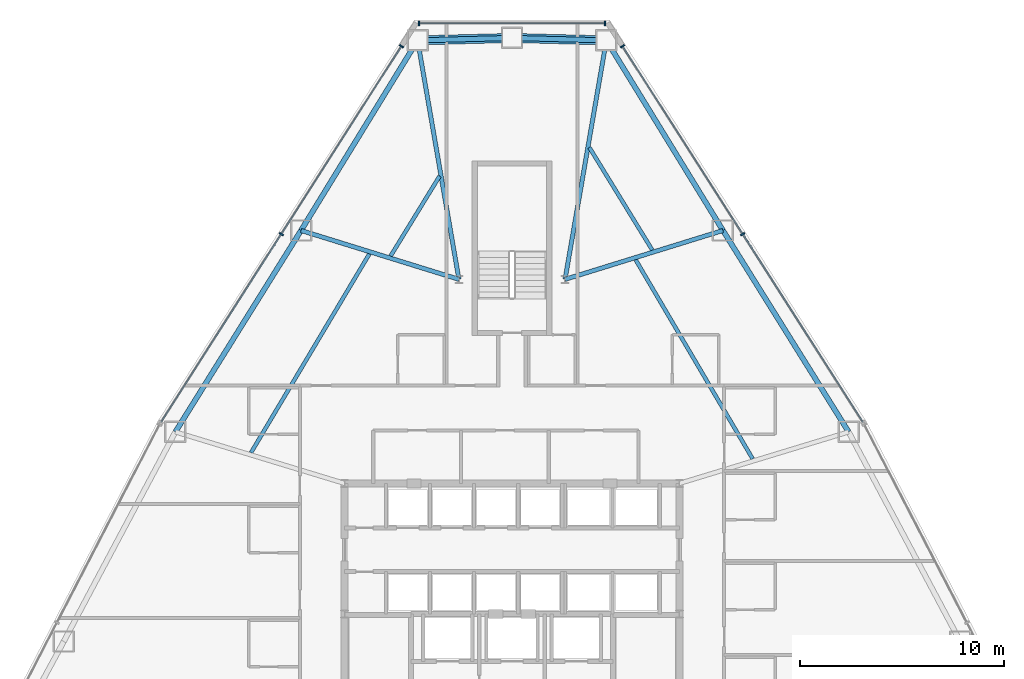
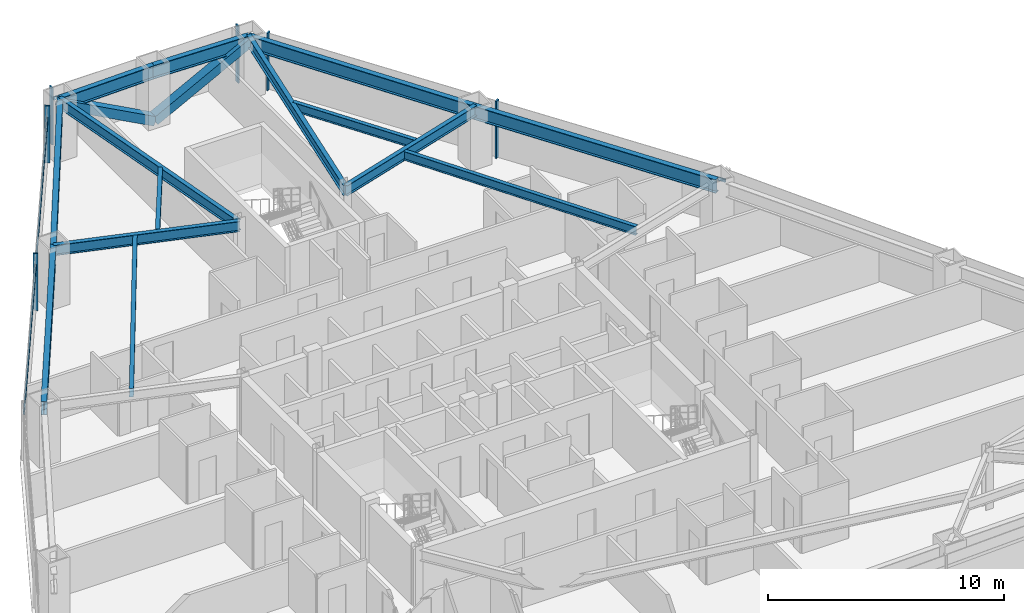
# One storey, part 7 of 13: 14 beams, 11 members, 3 elements without a shape of their own.
"""IFC4 building model written with IfcOpenShell, lengths in metres."""

from ifc_helpers import new_model, si_unit, direction, frame, origin, origin_2d, place, context, subcontext, project, spatial, rectangle, hollow_rectangle, i_section, extrude, source, transform, mapped, material, layer, layer_set, material_profile, profile_set, type_object, type_shapes, element, aggregate, save


model = new_model("IFC4")

# Units and contexts
model_context = context("Model", 3, precision=1e-05, world=origin(), true_north=direction((0.0, 1.0)))
body_context = subcontext(model_context, "Body", "Model", "MODEL_VIEW")
ifc_project = project(units=[si_unit("LENGTHUNIT", "METRE"), si_unit("AREAUNIT", "SQUARE_METRE"), si_unit("VOLUMEUNIT", "CUBIC_METRE"), si_unit("PLANEANGLEUNIT", "RADIAN"), si_unit("MASSUNIT", "GRAM", prefix="KILO")], contexts=[model_context])

# Site, building, storey
site_placement = place(None, origin())
site = spatial("IfcSite", under=ifc_project, at=site_placement, CompositionType="ELEMENT")
building_placement = place(site_placement, origin())
building = spatial("IfcBuilding", under=site, at=building_placement, Name="Varakhsha Concourse Tower", CompositionType="ELEMENT")
storey_placement = place(building_placement, frame((0.0, 0.0, 83.0)))
storey = spatial("IfcBuildingStorey", under=building, at=storey_placement, Name="L23", CompositionType="ELEMENT", Elevation=83.0)

# Beams
ifc_material_1 = material(Name="Structural Steel ASTM A992 Grade 50", Category="steel")
ifc_material_profile_1 = material_profile(ifc_material_1, i_section(OverallWidth=0.19091796875, OverallDepth=0.45703125, WebThickness=0.009033203125, FlangeThickness=0.013916015625, at=origin_2d()), Name="W18X50")
ifc_profile_set_1 = profile_set([ifc_material_profile_1], Name="Structural Steel ASTM A992 Grade 50")
beam_type_1 = type_object("IfcBeamType", Name="BM-JST-W18X50", PredefinedType="JOIST", material=ifc_profile_set_1)
beam_1_placement = place(storey_placement, frame((36.45166015625, 46.259521484375, 2.741455078125), z_axis=(-0.522781639756, -0.852466631097, 0.0), x_axis=(0.852466631097, -0.522781639756, 0.0)))
element("IfcBeam", 1, at=beam_1_placement, inside=storey, type_object=beam_type_1, Name="BM-TJST-L23-03", PredefinedType="JOIST", context=body_context, shape_type="SweptSolid", body=[
    extrude(i_section(OverallWidth=0.19091796875, OverallDepth=0.45703125, WebThickness=0.009033203125, FlangeThickness=0.013916015625, at=origin_2d()), origin(), (0.0, 0.0, 1.0), 4.58837890625),
])
beam_2_placement = place(storey_placement, frame((33.010498046875, 42.447509765625, 2.741455078125), z_axis=(-0.511661430078, -0.859187162946, 0.0), x_axis=(0.859187162946, -0.511661430078, 0.0)))
element("IfcBeam", 2, at=beam_2_placement, inside=storey, type_object=beam_type_1, Name="BM-TJST-L23-04", PredefinedType="JOIST", context=body_context, shape_type="SweptSolid", body=[
    extrude(i_section(OverallWidth=0.19091796875, OverallDepth=0.45703125, WebThickness=0.009033203125, FlangeThickness=0.013916015625, at=origin_2d()), origin(), (0.0, 0.0, 1.0), 11.335693359375),
])
beam_3_placement = place(storey_placement, frame((51.794677734375, 32.405517578125, 2.741455078125), z_axis=(-0.506799459264, 0.862063981436, 0.0), x_axis=(-0.862063981436, -0.506799459264, 0.0)))
element("IfcBeam", 3, at=beam_3_placement, inside=storey, type_object=beam_type_1, Name="BM-TJST-L23-17", PredefinedType="JOIST", context=body_context, shape_type="SweptSolid", body=[
    extrude(i_section(OverallWidth=0.19091796875, OverallDepth=0.45703125, WebThickness=0.009033203125, FlangeThickness=0.013916015625, at=origin_2d()), origin(), (0.0, 0.0, 1.0), 11.31494140625),
])
beam_4_placement = place(storey_placement, frame((46.875732421875, 42.6357421875, 2.741455078125), z_axis=(-0.522796878119, 0.852457285868, 0.0), x_axis=(-0.852457285868, -0.522796878119, 0.0)))
element("IfcBeam", 4, at=beam_4_placement, inside=storey, type_object=beam_type_1, Name="BM-TJST-L23-18", PredefinedType="JOIST", context=body_context, shape_type="SweptSolid", body=[
    extrude(i_section(OverallWidth=0.19091796875, OverallDepth=0.45703125, WebThickness=0.009033203125, FlangeThickness=0.013916015625, at=origin_2d()), origin(), (0.0, 0.0, 1.0), 5.8994140625),
])
ifc_material_profile_2 = material_profile(ifc_material_1, i_section(OverallWidth=0.2109375, OverallDepth=0.5390625, WebThickness=0.011962890625, FlangeThickness=0.01904296875, at=origin_2d()), Name="W21X73")
ifc_profile_set_2 = profile_set([ifc_material_profile_2], Name="Structural Steel ASTM A992 Grade 50")
beam_type_2 = type_object("IfcBeamType", Name="BM-RAD-W21X73", PredefinedType="BEAM", material=ifc_profile_set_2)
for number, where, z_axis, x_axis, name in (
    (5, (42.60009765625, 41.199951171875, 2.700439453125), (0.170345064454, 0.985384472689, 0.0), (-0.985384472689, 0.170345064454, 0.0), "L23 Radial Floor Girder 01"),
    (6, (37.39990234375, 41.199951171875, 2.700439453125), (-0.170345064454, 0.985384472689, 0.0), (-0.985384472689, -0.170345064454, 0.0), "L23 Radial Floor Girder 03"),
):
    element("IfcBeam", number, at=place(storey_placement, frame(where, z_axis=z_axis, x_axis=x_axis)), inside=storey, type_object=beam_type_2, Name=name, PredefinedType="BEAM", context=body_context, shape_type="SweptSolid", body=[
        extrude(i_section(OverallWidth=0.2109375, OverallDepth=0.5390625, WebThickness=0.011962890625, FlangeThickness=0.01904296875, at=origin_2d()), origin(), (0.0, 0.0, 1.0), 11.8857421875),
    ])
for number, where, z_axis, x_axis, name in (
    (7, (37.39990234375, 41.199951171875, 2.700439453125), (-0.955235202711, 0.295847439573, 0.0), (-0.295847439573, -0.955235202711, 0.0), "L23 Radial Floor Girder 04"),
    (8, (42.60009765625, 41.199951171875, 2.700439453125), (0.955235202711, 0.295847439573, 0.0), (-0.295847439573, 0.955235202711, 0.0), "L23 Radial Floor Girder 18"),
):
    element("IfcBeam", number, at=place(storey_placement, frame(where, z_axis=z_axis, x_axis=x_axis)), inside=storey, type_object=beam_type_2, Name=name, PredefinedType="BEAM", context=body_context, shape_type="SweptSolid", body=[
        extrude(i_section(OverallWidth=0.2109375, OverallDepth=0.5390625, WebThickness=0.011962890625, FlangeThickness=0.01904296875, at=origin_2d()), origin(), (0.0, 0.0, 1.0), 8.100341796875),
    ])
ifc_material_profile_3 = material_profile(ifc_material_1, i_section(OverallWidth=0.25390625, OverallDepth=0.701904296875, WebThickness=0.014892578125, FlangeThickness=0.028076171875, at=origin_2d()), Name="W27X129")
ifc_profile_set_3 = profile_set([ifc_material_profile_3], Name="Structural Steel ASTM A992 Grade 50")
beam_type_3 = type_object("IfcBeamType", Name="BM-SPAN-W27X129", PredefinedType="SPANDREL", material=ifc_profile_set_3)
for number, where, z_axis, x_axis, name in (
    (9, (44.624755859375, 52.911865234375, 2.618896484375), (-0.99966833776, 0.025752950896, 0.0), (-0.025752950896, -0.99966833776, 0.0), "BM-SPAN-L23-01"),
    (10, (40.0, 53.031005859375, 2.618896484375), (-0.99966833776, -0.025752950896, 0.0), (0.025752950896, -0.99966833776, 0.0), "BM-SPAN-L23-02"),
):
    element("IfcBeam", number, at=place(storey_placement, frame(where, z_axis=z_axis, x_axis=x_axis)), inside=storey, type_object=beam_type_3, Name=name, PredefinedType="SPANDREL", context=body_context, shape_type="SweptSolid", body=[
        extrude(i_section(OverallWidth=0.25390625, OverallDepth=0.701904296875, WebThickness=0.014892578125, FlangeThickness=0.028076171875, at=origin_2d()), origin(), (0.0, 0.0, 1.0), 4.626220703125),
    ])
beam_5_placement = place(storey_placement, frame((35.375244140625, 52.911865234375, 2.618896484375), z_axis=(-0.522806691271, -0.852451267559, 0.0), x_axis=(0.852451267559, -0.522806691271, 0.0)))
element("IfcBeam", 11, at=beam_5_placement, inside=storey, type_object=beam_type_3, Name="BM-SPAN-L23-03", PredefinedType="SPANDREL", context=body_context, shape_type="SweptSolid", body=[
    extrude(i_section(OverallWidth=0.25390625, OverallDepth=0.701904296875, WebThickness=0.014892578125, FlangeThickness=0.028076171875, at=origin_2d()), origin(), (0.0, 0.0, 1.0), 10.927734375),
])
for number, where, z_axis, x_axis, name in (
    (12, (29.662109375, 43.596435546875, 2.618896484375), (-0.529257520132, -0.848461240944, 0.0), (0.848461240944, -0.529257520132, 0.0), "BM-SPAN-L23-04"),
    (13, (56.49609375, 33.72412109375, 2.618896484375), (-0.529257520132, 0.848461240944, 0.0), (-0.848461240944, -0.529257520132, 0.0), "BM-SPAN-L23-17"),
):
    element("IfcBeam", number, at=place(storey_placement, frame(where, z_axis=z_axis, x_axis=x_axis)), inside=storey, type_object=beam_type_3, Name=name, PredefinedType="SPANDREL", context=body_context, shape_type="SweptSolid", body=[
        extrude(i_section(OverallWidth=0.25390625, OverallDepth=0.701904296875, WebThickness=0.014892578125, FlangeThickness=0.028076171875, at=origin_2d()), origin(), (0.0, 0.0, 1.0), 11.635498046875),
    ])
beam_6_placement = place(storey_placement, frame((50.337890625, 43.596435546875, 2.618896484375), z_axis=(-0.522806691271, 0.852451267559, 0.0), x_axis=(-0.852451267559, -0.522806691271, 0.0)))
element("IfcBeam", 14, at=beam_6_placement, inside=storey, type_object=beam_type_3, Name="BM-SPAN-L23-18", PredefinedType="SPANDREL", context=body_context, shape_type="SweptSolid", body=[
    extrude(i_section(OverallWidth=0.25390625, OverallDepth=0.701904296875, WebThickness=0.014892578125, FlangeThickness=0.028076171875, at=origin_2d()), origin(), (0.0, 0.0, 1.0), 10.927734375),
])

# Members
ifc_material_2 = material(Name="Structural Steel ASTM A500 Grade C", Category="steel")
ifc_material_profile_4 = material_profile(ifc_material_2, hollow_rectangle(XDim=0.449951171875, YDim=0.449951171875, WallThickness=0.01904296875, at=origin_2d()), Name="HSS 450x450x19")
ifc_profile_set_4 = profile_set([ifc_material_profile_4], Name="Structural Steel ASTM A500 Grade C")
member_type_1 = type_object("IfcMemberType", Name="MB-TUBE-HSS450", PredefinedType="BRACE", material=ifc_profile_set_4)
shared_shape_1 = source(origin(), body_context, "Body", "SweptSolid", [
    extrude(hollow_rectangle(XDim=0.449951171875, YDim=0.449951171875, WallThickness=0.01904296875, at=origin_2d()), origin(), (0.0, 0.0, 1.0), 5.282470703125),
])
type_shapes(member_type_1, [shared_shape_1])
for number, where, z_axis, x_axis, name in (
    (15, (40.0, 53.031005859375, 0.1201171875), (0.875497826714, -0.022554132895, 0.482695417949), (0.025752950896, 0.99966833776, 0.0), "L23 Wind-Corner Tube Brace B01"),
    (16, (40.0, 53.031005859375, 0.1201171875), (-0.875497826714, -0.022554132895, 0.482695417949), (0.025752950896, -0.99966833776, 0.0), "L23 Wind-Corner Tube Brace B02"),
):
    element("IfcMember", number, at=place(storey_placement, frame(where, z_axis=z_axis, x_axis=x_axis)), inside=storey, type_object=member_type_1, Name=name, PredefinedType="BRACE", context=body_context, shape_type="MappedRepresentation", body=[
        mapped(shared_shape_1, transform((0.0, 0.0, 0.0), scale=1.0)),
    ])

# Curtain wall, members
ifc_material_3 = material(Name="Anodised Bronze Architectural Aluminium AA 6063-T6", Category="aluminium")
ifc_layer = layer(ifc_material_3, 0.199951171875, Name="CW-SYS-03")
ifc_layer_set = layer_set([ifc_layer], Name="Anodised Bronze Architectural Aluminium AA 6063-T6")
curtain_wall_type = type_object("IfcCurtainWallType", Name="CW-SYS-03", PredefinedType="NOTDEFINED", material=ifc_layer_set)
curtain_wall_1_placement = place(storey_placement, origin())
curtain_wall_1 = element("IfcCurtainWall", 17, at=curtain_wall_1_placement, inside=storey, type_object=curtain_wall_type, Name="L23 Chamfer Curtain Wall F1", PredefinedType="NOTDEFINED")
ifc_material_profile_5 = material_profile(ifc_material_3, rectangle(XDim=0.074951171875, YDim=0.219970703125, at=origin_2d()), Name="CWM-220X75")
ifc_profile_set_5 = profile_set([ifc_material_profile_5], Name="Anodised Bronze Architectural Aluminium AA 6063-T6")
member_type_2 = type_object("IfcMemberType", Name="CWM-220X75", PredefinedType="MULLION", material=ifc_profile_set_5)
shared_shape_2 = source(origin(), body_context, "Body", "SweptSolid", [
    extrude(rectangle(XDim=0.074951171875, YDim=0.219970703125, at=origin_2d()), origin(), (0.0, 0.0, 1.0), 2.969970703125),
])
type_shapes(member_type_2, [shared_shape_2])
member_1_placement = place(storey_placement, frame((35.434326171875, 53.7509765625, 0.0), z_axis=(0.0, 0.0, 1.0), x_axis=(1.0, 0.0, 0.0)))
member_1 = element("IfcMember", 18, at=member_1_placement, type_object=member_type_2, Name="CW-L23-F1 Mullion 00", PredefinedType="MULLION", context=body_context, shape_type="MappedRepresentation", body=[
    mapped(shared_shape_2, transform((0.0, 0.0, 0.0), scale=1.0)),
])
member_2_placement = place(storey_placement, frame((44.565673828125, 53.7509765625, 0.0), z_axis=(0.0, 0.0, 1.0), x_axis=(1.0, 0.0, 0.0)))
member_2 = element("IfcMember", 19, at=member_2_placement, type_object=member_type_2, Name="CW-L23-F1 Mullion 01", PredefinedType="MULLION", context=body_context, shape_type="MappedRepresentation", body=[
    mapped(shared_shape_2, transform((0.0, 0.0, 0.0), scale=1.0)),
])

curtain_wall_2_placement = place(storey_placement, origin())
curtain_wall_2 = element("IfcCurtainWall", 20, at=curtain_wall_2_placement, inside=storey, type_object=curtain_wall_type, Name="L23 Crystal Curtain Wall F2", PredefinedType="NOTDEFINED")
member_3_placement = place(storey_placement, frame((28.694580078125, 43.419921875, 0.0), z_axis=(0.0, 0.0, 1.0), x_axis=(0.538786958833, 0.842442053195, 0.0)))
member_3 = element("IfcMember", 21, at=member_3_placement, type_object=member_type_2, Name="CW-L23-F2 Mullion 01", PredefinedType="MULLION", context=body_context, shape_type="MappedRepresentation", body=[
    mapped(shared_shape_2, transform((0.0, 0.0, 0.0), scale=1.0)),
])
member_4_placement = place(storey_placement, frame((34.583984375, 52.62841796875, 0.0), z_axis=(0.0, 0.0, 1.0), x_axis=(0.538786958833, 0.842442053195, 0.0)))
member_4 = element("IfcMember", 22, at=member_4_placement, type_object=member_type_2, Name="CW-L23-F2 Mullion 02", PredefinedType="MULLION", context=body_context, shape_type="MappedRepresentation", body=[
    mapped(shared_shape_2, transform((0.0, 0.0, 0.0), scale=1.0)),
])

curtain_wall_3_placement = place(storey_placement, origin())
curtain_wall_3 = element("IfcCurtainWall", 23, at=curtain_wall_3_placement, inside=storey, type_object=curtain_wall_type, Name="L23 Crystal Curtain Wall F9", PredefinedType="NOTDEFINED")
member_5_placement = place(storey_placement, frame((45.416015625, 52.62841796875, 0.0), z_axis=(0.0, 0.0, 1.0), x_axis=(0.538786958833, -0.842442053195, 0.0)))
member_5 = element("IfcMember", 24, at=member_5_placement, type_object=member_type_2, Name="CW-L23-F9 Mullion 00", PredefinedType="MULLION", context=body_context, shape_type="MappedRepresentation", body=[
    mapped(shared_shape_2, transform((0.0, 0.0, 0.0), scale=1.0)),
])
member_6_placement = place(storey_placement, frame((51.305419921875, 43.419921875, 0.0), z_axis=(0.0, 0.0, 1.0), x_axis=(0.538786958833, -0.842442053195, 0.0)))
member_6 = element("IfcMember", 25, at=member_6_placement, type_object=member_type_2, Name="CW-L23-F9 Mullion 01", PredefinedType="MULLION", context=body_context, shape_type="MappedRepresentation", body=[
    mapped(shared_shape_2, transform((0.0, 0.0, 0.0), scale=1.0)),
])

# Member
ifc_material_profile_6 = material_profile(ifc_material_3, rectangle(XDim=0.06494140625, YDim=0.159912109375, at=origin_2d()), Name="CWT-160X65")
ifc_profile_set_6 = profile_set([ifc_material_profile_6], Name="Anodised Bronze Architectural Aluminium AA 6063-T6")
member_type_3 = type_object("IfcMemberType", Name="CWT-160X65", PredefinedType="USERDEFINED", material=ifc_profile_set_6)
shared_shape_3 = source(origin(), body_context, "Body", "SweptSolid", [
    extrude(rectangle(XDim=0.06494140625, YDim=0.159912109375, at=origin_2d()), origin(), (0.0, 0.0, 1.0), 9.13134765625),
])
member_7_placement = place(storey_placement, frame((35.434326171875, 53.7509765625, 2.320068359375), z_axis=(1.0, 0.0, 0.0), x_axis=(0.0, 1.0, 0.0)))
member_7 = element("IfcMember", 26, at=member_7_placement, type_object=member_type_3, Name="CW-L23-F1 Transom 01", ObjectType="TRANSOM", PredefinedType="USERDEFINED", context=body_context, shape_type="MappedRepresentation", body=[
    mapped(shared_shape_3, transform((0.0, 0.0, 0.0), scale=1.0)),
])

aggregate(curtain_wall_1, [member_1, member_2, member_7])

shared_shape_4 = source(origin(), body_context, "Body", "SweptSolid", [
    extrude(rectangle(XDim=0.06494140625, YDim=0.159912109375, at=origin_2d()), origin(), (0.0, 0.0, 1.0), 21.861572265625),
])
type_shapes(member_type_3, [shared_shape_3, shared_shape_4])
member_8_placement = place(storey_placement, frame((22.805419921875, 34.211181640625, 2.320068359375), z_axis=(0.538778915353, 0.842447197378, 0.0), x_axis=(-0.842447197378, 0.538778915353, 0.0)))
member_8 = element("IfcMember", 27, at=member_8_placement, type_object=member_type_3, Name="CW-L23-F2 Transom 01", ObjectType="TRANSOM", PredefinedType="USERDEFINED", context=body_context, shape_type="MappedRepresentation", body=[
    mapped(shared_shape_4, transform((0.0, 0.0, 0.0), scale=1.0)),
])

aggregate(curtain_wall_2, [member_3, member_4, member_8])

member_9_placement = place(storey_placement, frame((45.416015625, 52.62841796875, 2.320068359375), z_axis=(0.538778915353, -0.842447197378, 0.0), x_axis=(0.842447197378, 0.538778915353, 0.0)))
member_9 = element("IfcMember", 28, at=member_9_placement, type_object=member_type_3, Name="CW-L23-F9 Transom 01", ObjectType="TRANSOM", PredefinedType="USERDEFINED", context=body_context, shape_type="MappedRepresentation", body=[
    mapped(shared_shape_4, transform((0.0, 0.0, 0.0), scale=1.0)),
])

aggregate(curtain_wall_3, [member_5, member_6, member_9])

save(model, "model.ifc")
